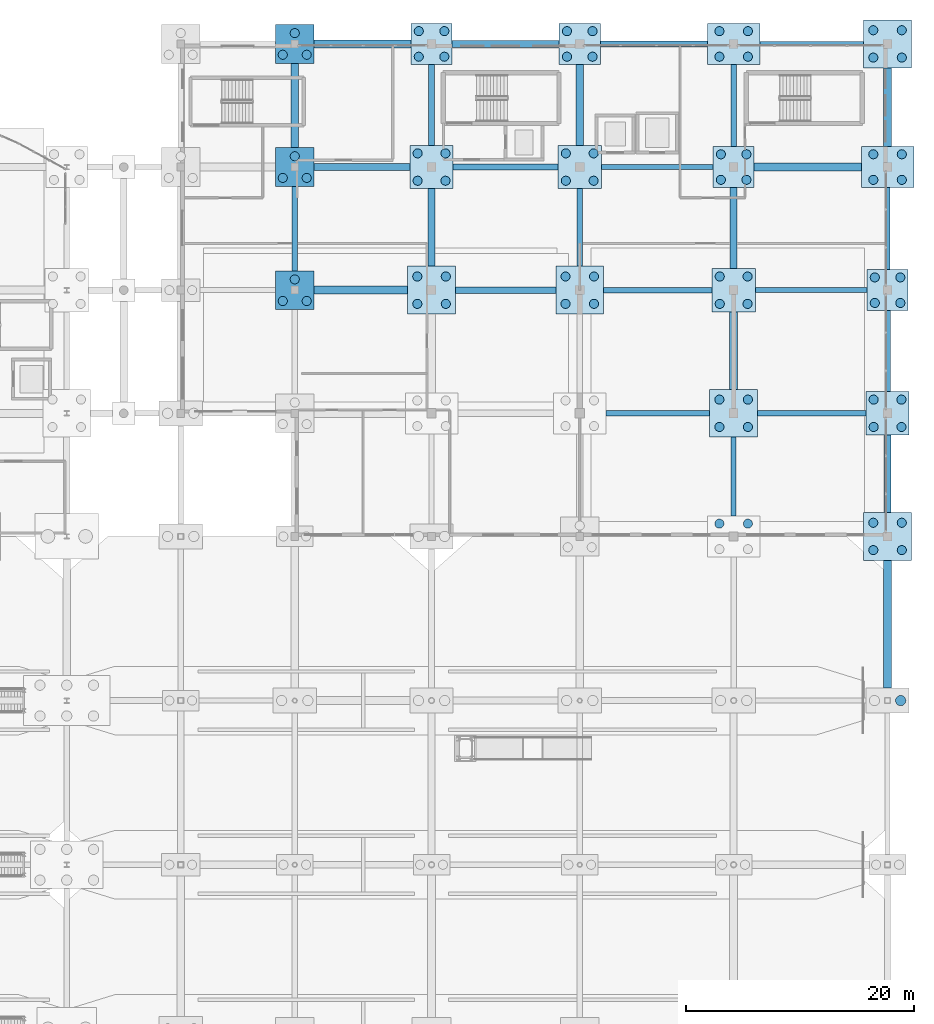
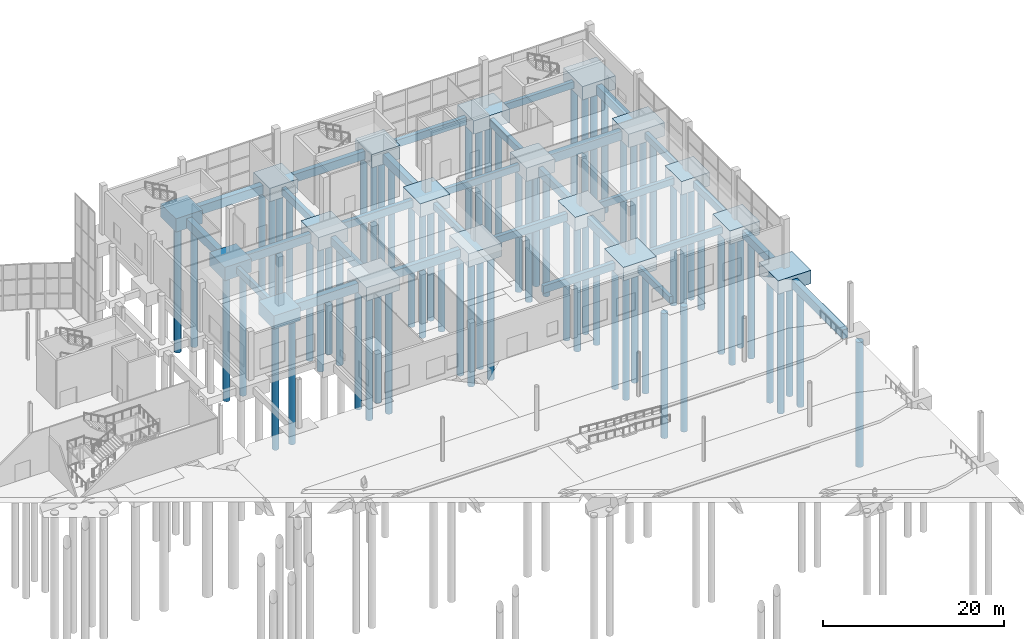
# One storey, part 8 of 115: 72 piles, 47 footings.
"""IFC4 building model written with IfcOpenShell, lengths in metres."""

from ifc_helpers import new_model, si_unit, direction, frame, origin, origin_2d, place, context, subcontext, project, spatial, rectangle, circle, extrude, material, material_profile, profile_set, type_object, element, save


model = new_model("IFC4")

# Units and contexts
model_context = context("Model", 3, precision=1e-05, world=origin(), true_north=direction((0.0, 1.0)))
body_context = subcontext(model_context, "Body", "Model", "MODEL_VIEW")
ifc_project = project(units=[si_unit("LENGTHUNIT", "METRE"), si_unit("AREAUNIT", "SQUARE_METRE"), si_unit("VOLUMEUNIT", "CUBIC_METRE"), si_unit("PLANEANGLEUNIT", "RADIAN"), si_unit("MASSUNIT", "GRAM", prefix="KILO")], contexts=[model_context])

# Site, building, storey
site_placement = place(None, origin())
site = spatial("IfcSite", under=ifc_project, at=site_placement, CompositionType="ELEMENT")
building_placement = place(site_placement, origin())
building = spatial("IfcBuilding", under=site, at=building_placement, Name="Tamarisk Ironworks Central Station", CompositionType="ELEMENT")
storey_placement = place(building_placement, origin())
storey = spatial("IfcBuildingStorey", under=building, at=storey_placement, Name="L00", CompositionType="ELEMENT", Elevation=0.0)

# Footings
ifc_material = material(Name="Concrete C40/50", Category="concrete")
footing_type_1 = type_object("IfcFootingType", Name="CAP-PC02", PredefinedType="PILE_CAP", material=ifc_material)
for number, where, z_axis, x_axis, name in (
    (1, (166.5, 122.39990234375, -1.7998046875), (0.0, 0.0, 1.0), (1.0, 0.0, 0.0), "Pile cap V5-19N"),
    (2, (180.0, 111.60009765625, -1.7998046875), (0.0, 0.0, 1.0), (1.0, 0.0, 0.0), "Pile cap V5-20L"),
):
    element("IfcFooting", number, at=place(storey_placement, frame(where, z_axis=z_axis, x_axis=x_axis)), inside=storey, type_object=footing_type_1, Name=name, PredefinedType="PILE_CAP", context=body_context, shape_type="SweptSolid", body=[
        extrude(rectangle(XDim=4.60009765625, YDim=3.60009765625, at=origin_2d()), origin(), (0.0, 0.0, 1.0), 1.800048828125),
    ])
footing_type_2 = type_object("IfcFootingType", Name="CAP-PC03", PredefinedType="PILE_CAP", material=ifc_material)
for number, where, z_axis, x_axis, name in (
    (3, (140.0, 100.800048828125, -1.7998046875), (0.0, 0.0, 1.0), (1.0, 0.0, 0.0), "Pile cap V5-17J"),
    (4, (153.0, 100.800048828125, -1.7998046875), (0.0, 0.0, 1.0), (1.0, 0.0, 0.0), "Pile cap V5-18J"),
    (5, (166.5, 90.0, -1.7998046875), (0.0, 0.0, 1.0), (1.0, 0.0, 0.0), "Pile cap V5-19H"),
    (6, (180.0, 79.199951171875, -1.7998046875), (0.0, 0.0, 1.0), (1.0, 0.0, 0.0), "Pile cap V5-20G"),
    (7, (180.0, 122.39990234375, -1.7998046875), (0.0, 0.0, 1.0), (1.0, 0.0, 0.0), "Pile cap V5-20N"),
):
    element("IfcFooting", number, at=place(storey_placement, frame(where, z_axis=z_axis, x_axis=x_axis)), inside=storey, type_object=footing_type_2, Name=name, PredefinedType="PILE_CAP", context=body_context, shape_type="SweptSolid", body=[
        extrude(rectangle(XDim=4.199951171875, YDim=4.199951171875, at=origin_2d()), origin(), (0.0, 0.0, 1.0), 1.800048828125),
    ])
footing_type_3 = type_object("IfcFootingType", Name="CAP-PC04", PredefinedType="PILE_CAP", material=ifc_material)
for number, where, z_axis, x_axis, name in (
    (8, (140.0, 111.60009765625, -1.7998046875), (0.0, 0.0, 1.0), (1.0, 0.0, 0.0), "Pile cap V5-17L"),
    (9, (153.0, 111.60009765625, -1.7998046875), (0.0, 0.0, 1.0), (1.0, 0.0, 0.0), "Pile cap V5-18L"),
    (10, (166.5, 100.800048828125, -1.7998046875), (0.0, 0.0, 1.0), (1.0, 0.0, 0.0), "Pile cap V5-19J"),
    (11, (180.0, 90.0, -1.7998046875), (0.0, 0.0, 1.0), (1.0, 0.0, 0.0), "Pile cap V5-20H"),
):
    element("IfcFooting", number, at=place(storey_placement, frame(where, z_axis=z_axis, x_axis=x_axis)), inside=storey, type_object=footing_type_3, Name=name, PredefinedType="PILE_CAP", context=body_context, shape_type="SweptSolid", body=[
        extrude(rectangle(XDim=3.800048828125, YDim=3.800048828125, at=origin_2d()), origin(), (0.0, 0.0, 1.0), 1.800048828125),
    ])
footing_type_4 = type_object("IfcFootingType", Name="CAP-PC05", PredefinedType="PILE_CAP", material=ifc_material)
for number, where, z_axis, x_axis, name in (
    (12, (140.0, 122.39990234375, -1.7998046875), (0.0, 0.0, 1.0), (1.0, 0.0, 0.0), "Pile cap V5-17N"),
    (13, (153.0, 122.39990234375, -1.7998046875), (0.0, 0.0, 1.0), (1.0, 0.0, 0.0), "Pile cap V5-18N"),
    (14, (166.5, 111.60009765625, -1.7998046875), (0.0, 0.0, 1.0), (1.0, 0.0, 0.0), "Pile cap V5-19L"),
    (15, (180.0, 100.800048828125, -1.7998046875), (0.0, 0.0, 1.0), (1.0, 0.0, 0.0), "Pile cap V5-20J"),
):
    element("IfcFooting", number, at=place(storey_placement, frame(where, z_axis=z_axis, x_axis=x_axis)), inside=storey, type_object=footing_type_4, Name=name, PredefinedType="PILE_CAP", context=body_context, shape_type="SweptSolid", body=[
        extrude(rectangle(XDim=3.60009765625, YDim=3.60009765625, at=origin_2d()), origin(), (0.0, 0.0, 1.0), 1.800048828125),
    ])
footing_type_5 = type_object("IfcFootingType", Name="CAP-PC06", PredefinedType="PILE_CAP", material=ifc_material)
for number, where, z_axis, x_axis, name in (
    (16, (128.0, 100.800048828125, -1.7998046875), (0.0, 0.0, 1.0), (1.0, 0.0, 0.0), "Pile cap V5-16J"),
    (17, (128.0, 111.60009765625, -1.7998046875), (0.0, 0.0, 1.0), (1.0, 0.0, 0.0), "Pile cap V5-16L"),
    (18, (128.0, 122.39990234375, -1.7998046875), (0.0, 0.0, 1.0), (1.0, 0.0, 0.0), "Pile cap V5-16N"),
):
    element("IfcFooting", number, at=place(storey_placement, frame(where, z_axis=z_axis, x_axis=x_axis)), inside=storey, type_object=footing_type_5, Name=name, PredefinedType="PILE_CAP", context=body_context, shape_type="SweptSolid", body=[
        extrude(rectangle(XDim=3.39990234375, YDim=3.39990234375, at=origin_2d()), origin(), (0.0, 0.0, 1.0), 1.800048828125),
    ])
ifc_material_profile_1 = material_profile(ifc_material, rectangle(XDim=0.699951171875, YDim=1.199951171875, at=origin_2d()), Name="GB01 700x1200")
ifc_profile_set_1 = profile_set([ifc_material_profile_1], Name="Concrete C40/50")
footing_type_6 = type_object("IfcFootingType", Name="GB-01", PredefinedType="FOOTING_BEAM", material=ifc_profile_set_1)
footing_1_placement = place(storey_placement, frame((129.699951171875, 100.800048828125, -1.050048828125), z_axis=(1.0, 0.0, 0.0), x_axis=(0.0, 1.0, 0.0)))
element("IfcFooting", 19, at=footing_1_placement, inside=storey, type_object=footing_type_6, Name="Ground tie beam GB-X-101", PredefinedType="FOOTING_BEAM", context=body_context, shape_type="SweptSolid", body=[
    extrude(rectangle(XDim=0.699951171875, YDim=1.199951171875, at=origin_2d()), origin(), (0.0, 0.0, 1.0), 8.199951171875),
])
footing_2_placement = place(storey_placement, frame((168.300048828125, 111.60009765625, -1.050048828125), z_axis=(1.0, 0.0, 0.0), x_axis=(0.0, 1.0, 0.0)))
element("IfcFooting", 20, at=footing_2_placement, inside=storey, type_object=footing_type_6, Name="Ground tie beam GB-X-121", PredefinedType="FOOTING_BEAM", context=body_context, shape_type="SweptSolid", body=[
    extrude(rectangle(XDim=0.699951171875, YDim=1.199951171875, at=origin_2d()), origin(), (0.0, 0.0, 1.0), 9.39990234375),
])
footing_3_placement = place(storey_placement, frame((129.699951171875, 122.39990234375, -1.050048828125), z_axis=(1.0, 0.0, 0.0), x_axis=(0.0, 1.0, 0.0)))
element("IfcFooting", 21, at=footing_3_placement, inside=storey, type_object=footing_type_6, Name="Ground tie beam GB-X-129", PredefinedType="FOOTING_BEAM", context=body_context, shape_type="SweptSolid", body=[
    extrude(rectangle(XDim=0.699951171875, YDim=1.199951171875, at=origin_2d()), origin(), (0.0, 0.0, 1.0), 8.5),
])
footing_4_placement = place(storey_placement, frame((128.0, 113.300048828125, -1.050048828125), z_axis=(0.0, 1.0, 0.0), x_axis=(-1.0, 0.0, 0.0)))
element("IfcFooting", 22, at=footing_4_placement, inside=storey, type_object=footing_type_6, Name="Ground tie beam GB-Y-249", PredefinedType="FOOTING_BEAM", context=body_context, shape_type="SweptSolid", body=[
    extrude(rectangle(XDim=0.699951171875, YDim=1.199951171875, at=origin_2d()), origin(), (0.0, 0.0, 1.0), 7.39990234375),
])
footing_5_placement = place(storey_placement, frame((153.0, 113.5, -1.050048828125), z_axis=(0.0, 1.0, 0.0), x_axis=(-1.0, 0.0, 0.0)))
element("IfcFooting", 23, at=footing_5_placement, inside=storey, type_object=footing_type_6, Name="Ground tie beam GB-Y-269", PredefinedType="FOOTING_BEAM", context=body_context, shape_type="SweptSolid", body=[
    extrude(rectangle(XDim=0.699951171875, YDim=1.199951171875, at=origin_2d()), origin(), (0.0, 0.0, 1.0), 7.10009765625),
])
footing_6_placement = place(storey_placement, frame((166.5, 92.10009765625, -1.050048828125), z_axis=(0.0, 1.0, 0.0), x_axis=(-1.0, 0.0, 0.0)))
element("IfcFooting", 24, at=footing_6_placement, inside=storey, type_object=footing_type_6, Name="Ground tie beam GB-Y-277", PredefinedType="FOOTING_BEAM", context=body_context, shape_type="SweptSolid", body=[
    extrude(rectangle(XDim=0.699951171875, YDim=1.199951171875, at=origin_2d()), origin(), (0.0, 0.0, 1.0), 6.7998046875),
])
footing_7_placement = place(storey_placement, frame((180.0, 65.89990234375, -1.050048828125), z_axis=(0.0, 1.0, 0.0), x_axis=(-1.0, 0.0, 0.0)))
element("IfcFooting", 25, at=footing_7_placement, inside=storey, type_object=footing_type_6, Name="Ground tie beam GB-Y-285", PredefinedType="FOOTING_BEAM", context=body_context, shape_type="SweptSolid", body=[
    extrude(rectangle(XDim=0.699951171875, YDim=1.199951171875, at=origin_2d()), origin(), (0.0, 0.0, 1.0), 11.2001953125),
])
footing_8_placement = place(storey_placement, frame((180.0, 113.39990234375, -1.050048828125), z_axis=(0.0, 1.0, 0.0), x_axis=(-1.0, 0.0, 0.0)))
element("IfcFooting", 26, at=footing_8_placement, inside=storey, type_object=footing_type_6, Name="Ground tie beam GB-Y-289", PredefinedType="FOOTING_BEAM", context=body_context, shape_type="SweptSolid", body=[
    extrude(rectangle(XDim=0.699951171875, YDim=1.199951171875, at=origin_2d()), origin(), (0.0, 0.0, 1.0), 6.900146484375),
])
ifc_material_profile_2 = material_profile(ifc_material, rectangle(XDim=0.60009765625, YDim=1.10009765625, at=origin_2d()), Name="GB02 600x1100")
ifc_profile_set_2 = profile_set([ifc_material_profile_2], Name="Concrete C40/50")
footing_type_7 = type_object("IfcFootingType", Name="GB-02", PredefinedType="FOOTING_BEAM", material=ifc_profile_set_2)
footing_9_placement = place(storey_placement, frame((142.10009765625, 100.800048828125, -1.0), z_axis=(1.0, 0.0, 0.0), x_axis=(0.0, 1.0, 0.0)))
element("IfcFooting", 27, at=footing_9_placement, inside=storey, type_object=footing_type_7, Name="Ground tie beam GB-X-102", PredefinedType="FOOTING_BEAM", context=body_context, shape_type="SweptSolid", body=[
    extrude(rectangle(XDim=0.60009765625, YDim=1.10009765625, at=origin_2d()), origin(), (0.0, 0.0, 1.0), 8.7998046875),
])
footing_10_placement = place(storey_placement, frame((129.699951171875, 111.60009765625, -1.0), z_axis=(1.0, 0.0, 0.0), x_axis=(0.0, 1.0, 0.0)))
element("IfcFooting", 28, at=footing_10_placement, inside=storey, type_object=footing_type_7, Name="Ground tie beam GB-X-118", PredefinedType="FOOTING_BEAM", context=body_context, shape_type="SweptSolid", body=[
    extrude(rectangle(XDim=0.60009765625, YDim=1.10009765625, at=origin_2d()), origin(), (0.0, 0.0, 1.0), 8.400146484375),
])
footing_11_placement = place(storey_placement, frame((141.800048828125, 122.39990234375, -1.0), z_axis=(1.0, 0.0, 0.0), x_axis=(0.0, 1.0, 0.0)))
element("IfcFooting", 29, at=footing_11_placement, inside=storey, type_object=footing_type_7, Name="Ground tie beam GB-X-130", PredefinedType="FOOTING_BEAM", context=body_context, shape_type="SweptSolid", body=[
    extrude(rectangle(XDim=0.60009765625, YDim=1.10009765625, at=origin_2d()), origin(), (0.0, 0.0, 1.0), 9.39990234375),
])
footing_12_placement = place(storey_placement, frame((140.0, 102.89990234375, -1.0), z_axis=(0.0, 1.0, 0.0), x_axis=(-1.0, 0.0, 0.0)))
element("IfcFooting", 30, at=footing_12_placement, inside=storey, type_object=footing_type_7, Name="Ground tie beam GB-Y-258", PredefinedType="FOOTING_BEAM", context=body_context, shape_type="SweptSolid", body=[
    extrude(rectangle(XDim=0.60009765625, YDim=1.10009765625, at=origin_2d()), origin(), (0.0, 0.0, 1.0), 6.800048828125),
])
footing_13_placement = place(storey_placement, frame((166.5, 102.699951171875, -1.0), z_axis=(0.0, 1.0, 0.0), x_axis=(-1.0, 0.0, 0.0)))
element("IfcFooting", 31, at=footing_13_placement, inside=storey, type_object=footing_type_7, Name="Ground tie beam GB-Y-278", PredefinedType="FOOTING_BEAM", context=body_context, shape_type="SweptSolid", body=[
    extrude(rectangle(XDim=0.60009765625, YDim=1.10009765625, at=origin_2d()), origin(), (0.0, 0.0, 1.0), 7.10009765625),
])
footing_14_placement = place(storey_placement, frame((180.0, 81.300048828125, -1.0), z_axis=(0.0, 1.0, 0.0), x_axis=(-1.0, 0.0, 0.0)))
element("IfcFooting", 32, at=footing_14_placement, inside=storey, type_object=footing_type_7, Name="Ground tie beam GB-Y-286", PredefinedType="FOOTING_BEAM", context=body_context, shape_type="SweptSolid", body=[
    extrude(rectangle(XDim=0.60009765625, YDim=1.10009765625, at=origin_2d()), origin(), (0.0, 0.0, 1.0), 6.800048828125),
])
ifc_material_profile_3 = material_profile(ifc_material, rectangle(XDim=0.5, YDim=1.0, at=origin_2d()), Name="GB03 500x1000")
ifc_profile_set_3 = profile_set([ifc_material_profile_3], Name="Concrete C40/50")
footing_type_8 = type_object("IfcFootingType", Name="GB-03", PredefinedType="FOOTING_BEAM", material=ifc_profile_set_3)
footing_15_placement = place(storey_placement, frame((155.300048828125, 90.0, -0.949951171875), z_axis=(1.0, 0.0, 0.0), x_axis=(0.0, 1.0, 0.0)))
element("IfcFooting", 33, at=footing_15_placement, inside=storey, type_object=footing_type_8, Name="Ground tie beam GB-X-087", PredefinedType="FOOTING_BEAM", context=body_context, shape_type="SweptSolid", body=[
    extrude(rectangle(XDim=0.5, YDim=1.0, at=origin_2d()), origin(), (0.0, 0.0, 1.0), 9.099853515625),
])
footing_16_placement = place(storey_placement, frame((155.10009765625, 100.800048828125, -0.949951171875), z_axis=(1.0, 0.0, 0.0), x_axis=(0.0, 1.0, 0.0)))
element("IfcFooting", 34, at=footing_16_placement, inside=storey, type_object=footing_type_8, Name="Ground tie beam GB-X-103", PredefinedType="FOOTING_BEAM", context=body_context, shape_type="SweptSolid", body=[
    extrude(rectangle(XDim=0.5, YDim=1.0, at=origin_2d()), origin(), (0.0, 0.0, 1.0), 9.5),
])
footing_17_placement = place(storey_placement, frame((141.89990234375, 111.60009765625, -0.949951171875), z_axis=(1.0, 0.0, 0.0), x_axis=(0.0, 1.0, 0.0)))
element("IfcFooting", 35, at=footing_17_placement, inside=storey, type_object=footing_type_8, Name="Ground tie beam GB-X-119", PredefinedType="FOOTING_BEAM", context=body_context, shape_type="SweptSolid", body=[
    extrude(rectangle(XDim=0.5, YDim=1.0, at=origin_2d()), origin(), (0.0, 0.0, 1.0), 9.2001953125),
])
footing_18_placement = place(storey_placement, frame((154.800048828125, 122.39990234375, -0.949951171875), z_axis=(1.0, 0.0, 0.0), x_axis=(0.0, 1.0, 0.0)))
element("IfcFooting", 36, at=footing_18_placement, inside=storey, type_object=footing_type_8, Name="Ground tie beam GB-X-131", PredefinedType="FOOTING_BEAM", context=body_context, shape_type="SweptSolid", body=[
    extrude(rectangle(XDim=0.5, YDim=1.0, at=origin_2d()), origin(), (0.0, 0.0, 1.0), 9.39990234375),
])
footing_19_placement = place(storey_placement, frame((140.0, 113.5, -0.949951171875), z_axis=(0.0, 1.0, 0.0), x_axis=(-1.0, 0.0, 0.0)))
element("IfcFooting", 37, at=footing_19_placement, inside=storey, type_object=footing_type_8, Name="Ground tie beam GB-Y-259", PredefinedType="FOOTING_BEAM", context=body_context, shape_type="SweptSolid", body=[
    extrude(rectangle(XDim=0.5, YDim=1.0, at=origin_2d()), origin(), (0.0, 0.0, 1.0), 7.10009765625),
])
footing_20_placement = place(storey_placement, frame((166.5, 113.39990234375, -0.949951171875), z_axis=(0.0, 1.0, 0.0), x_axis=(-1.0, 0.0, 0.0)))
element("IfcFooting", 38, at=footing_20_placement, inside=storey, type_object=footing_type_8, Name="Ground tie beam GB-Y-279", PredefinedType="FOOTING_BEAM", context=body_context, shape_type="SweptSolid", body=[
    extrude(rectangle(XDim=0.5, YDim=1.0, at=origin_2d()), origin(), (0.0, 0.0, 1.0), 7.2001953125),
])
footing_21_placement = place(storey_placement, frame((180.0, 91.89990234375, -0.949951171875), z_axis=(0.0, 1.0, 0.0), x_axis=(-1.0, 0.0, 0.0)))
element("IfcFooting", 39, at=footing_21_placement, inside=storey, type_object=footing_type_8, Name="Ground tie beam GB-Y-287", PredefinedType="FOOTING_BEAM", context=body_context, shape_type="SweptSolid", body=[
    extrude(rectangle(XDim=0.5, YDim=1.0, at=origin_2d()), origin(), (0.0, 0.0, 1.0), 7.10009765625),
])
ifc_material_profile_4 = material_profile(ifc_material, rectangle(XDim=0.449951171875, YDim=0.89990234375, at=origin_2d()), Name="GB04 450x900")
ifc_profile_set_4 = profile_set([ifc_material_profile_4], Name="Concrete C40/50")
footing_type_9 = type_object("IfcFootingType", Name="GB-04", PredefinedType="FOOTING_BEAM", material=ifc_profile_set_4)
footing_22_placement = place(storey_placement, frame((168.60009765625, 90.0, -0.89990234375), z_axis=(1.0, 0.0, 0.0), x_axis=(0.0, 1.0, 0.0)))
element("IfcFooting", 40, at=footing_22_placement, inside=storey, type_object=footing_type_9, Name="Ground tie beam GB-X-088", PredefinedType="FOOTING_BEAM", context=body_context, shape_type="SweptSolid", body=[
    extrude(rectangle(XDim=0.449951171875, YDim=0.89990234375, at=origin_2d()), origin(), (0.0, 0.0, 1.0), 9.5),
])
for number, where, z_axis, x_axis, name in (
    (41, (168.39990234375, 100.800048828125, -0.89990234375), (1.0, 0.0, 0.0), (0.0, 1.0, 0.0), "Ground tie beam GB-X-104"),
    (42, (154.89990234375, 111.60009765625, -0.89990234375), (1.0, 0.0, 0.0), (0.0, 1.0, 0.0), "Ground tie beam GB-X-120"),
):
    element("IfcFooting", number, at=place(storey_placement, frame(where, z_axis=z_axis, x_axis=x_axis)), inside=storey, type_object=footing_type_9, Name=name, PredefinedType="FOOTING_BEAM", context=body_context, shape_type="SweptSolid", body=[
        extrude(rectangle(XDim=0.449951171875, YDim=0.89990234375, at=origin_2d()), origin(), (0.0, 0.0, 1.0), 9.800048828125),
    ])
footing_23_placement = place(storey_placement, frame((168.800048828125, 122.39990234375, -0.89990234375), z_axis=(1.0, 0.0, 0.0), x_axis=(0.0, 1.0, 0.0)))
element("IfcFooting", 43, at=footing_23_placement, inside=storey, type_object=footing_type_9, Name="Ground tie beam GB-X-132", PredefinedType="FOOTING_BEAM", context=body_context, shape_type="SweptSolid", body=[
    extrude(rectangle(XDim=0.449951171875, YDim=0.89990234375, at=origin_2d()), origin(), (0.0, 0.0, 1.0), 9.099853515625),
])
footing_24_placement = place(storey_placement, frame((128.0, 102.5, -0.89990234375), z_axis=(0.0, 1.0, 0.0), x_axis=(-1.0, 0.0, 0.0)))
element("IfcFooting", 44, at=footing_24_placement, inside=storey, type_object=footing_type_9, Name="Ground tie beam GB-Y-248", PredefinedType="FOOTING_BEAM", context=body_context, shape_type="SweptSolid", body=[
    extrude(rectangle(XDim=0.449951171875, YDim=0.89990234375, at=origin_2d()), origin(), (0.0, 0.0, 1.0), 7.39990234375),
])
footing_25_placement = place(storey_placement, frame((153.0, 102.89990234375, -0.89990234375), z_axis=(0.0, 1.0, 0.0), x_axis=(-1.0, 0.0, 0.0)))
element("IfcFooting", 45, at=footing_25_placement, inside=storey, type_object=footing_type_9, Name="Ground tie beam GB-Y-268", PredefinedType="FOOTING_BEAM", context=body_context, shape_type="SweptSolid", body=[
    extrude(rectangle(XDim=0.449951171875, YDim=0.89990234375, at=origin_2d()), origin(), (0.0, 0.0, 1.0), 6.800048828125),
])
footing_26_placement = place(storey_placement, frame((166.5, 81.0, -0.89990234375), z_axis=(0.0, 1.0, 0.0), x_axis=(-1.0, 0.0, 0.0)))
element("IfcFooting", 46, at=footing_26_placement, inside=storey, type_object=footing_type_9, Name="Ground tie beam GB-Y-276", PredefinedType="FOOTING_BEAM", context=body_context, shape_type="SweptSolid", body=[
    extrude(rectangle(XDim=0.449951171875, YDim=0.89990234375, at=origin_2d()), origin(), (0.0, 0.0, 1.0), 6.89990234375),
])
footing_27_placement = place(storey_placement, frame((180.0, 102.60009765625, -0.89990234375), z_axis=(0.0, 1.0, 0.0), x_axis=(-1.0, 0.0, 0.0)))
element("IfcFooting", 47, at=footing_27_placement, inside=storey, type_object=footing_type_9, Name="Ground tie beam GB-Y-288", PredefinedType="FOOTING_BEAM", context=body_context, shape_type="SweptSolid", body=[
    extrude(rectangle(XDim=0.449951171875, YDim=0.89990234375, at=origin_2d()), origin(), (0.0, 0.0, 1.0), 7.199951171875),
])

# Piles
ifc_material_profile_5 = material_profile(ifc_material, circle(Radius=0.39990234375, at=origin_2d()), Name="BORED PILE D800")
ifc_profile_set_5 = profile_set([ifc_material_profile_5], Name="Concrete C40/50")
pile_type_1 = type_object("IfcPileType", Name="PILE-D800", PredefinedType="BORED", material=ifc_profile_set_5)
for number, where, z_axis, x_axis, name in (
    (48, (126.949951171875, 99.85009765625, -1.64990234375), (0.0, 0.0, -1.0), (1.0, 0.0, 0.0), "Bored pile V5-16J-1"),
    (49, (129.050048828125, 99.85009765625, -1.64990234375), (0.0, 0.0, -1.0), (1.0, 0.0, 0.0), "Bored pile V5-16J-2"),
    (50, (128.0, 101.75, -1.64990234375), (0.0, 0.0, -1.0), (1.0, 0.0, 0.0), "Bored pile V5-16J-3"),
    (51, (126.949951171875, 110.64990234375, -1.64990234375), (0.0, 0.0, -1.0), (1.0, 0.0, 0.0), "Bored pile V5-16L-1"),
    (52, (129.050048828125, 110.64990234375, -1.64990234375), (0.0, 0.0, -1.0), (1.0, 0.0, 0.0), "Bored pile V5-16L-2"),
    (53, (128.0, 112.550048828125, -1.64990234375), (0.0, 0.0, -1.0), (1.0, 0.0, 0.0), "Bored pile V5-16L-3"),
    (54, (126.949951171875, 121.449951171875, -1.64990234375), (0.0, 0.0, -1.0), (1.0, 0.0, 0.0), "Bored pile V5-16N-1"),
    (55, (129.050048828125, 121.449951171875, -1.64990234375), (0.0, 0.0, -1.0), (1.0, 0.0, 0.0), "Bored pile V5-16N-2"),
    (56, (128.0, 123.35009765625, -1.64990234375), (0.0, 0.0, -1.0), (1.0, 0.0, 0.0), "Bored pile V5-16N-3"),
    (57, (138.75, 99.60009765625, -1.64990234375), (0.0, 0.0, -1.0), (1.0, 0.0, 0.0), "Bored pile V5-17J-1"),
    (58, (141.25, 99.60009765625, -1.64990234375), (0.0, 0.0, -1.0), (1.0, 0.0, 0.0), "Bored pile V5-17J-2"),
    (59, (138.75, 102.0, -1.64990234375), (0.0, 0.0, -1.0), (1.0, 0.0, 0.0), "Bored pile V5-17J-3"),
    (60, (141.25, 102.0, -1.64990234375), (0.0, 0.0, -1.0), (1.0, 0.0, 0.0), "Bored pile V5-17J-4"),
    (61, (138.780029296875, 110.39990234375, -1.64990234375), (0.0, 0.0, -1.0), (1.0, 0.0, 0.0), "Bored pile V5-17L-1"),
    (62, (141.219970703125, 110.39990234375, -1.64990234375), (0.0, 0.0, -1.0), (1.0, 0.0, 0.0), "Bored pile V5-17L-2"),
    (63, (138.780029296875, 112.800048828125, -1.64990234375), (0.0, 0.0, -1.0), (1.0, 0.0, 0.0), "Bored pile V5-17L-3"),
    (64, (141.219970703125, 112.800048828125, -1.64990234375), (0.0, 0.0, -1.0), (1.0, 0.0, 0.0), "Bored pile V5-17L-4"),
    (65, (138.8798828125, 121.280029296875, -1.64990234375), (0.0, 0.0, -1.0), (1.0, 0.0, 0.0), "Bored pile V5-17N-1"),
    (66, (141.1201171875, 121.280029296875, -1.64990234375), (0.0, 0.0, -1.0), (1.0, 0.0, 0.0), "Bored pile V5-17N-2"),
    (67, (138.8798828125, 123.52001953125, -1.64990234375), (0.0, 0.0, -1.0), (1.0, 0.0, 0.0), "Bored pile V5-17N-3"),
    (68, (141.1201171875, 123.52001953125, -1.64990234375), (0.0, 0.0, -1.0), (1.0, 0.0, 0.0), "Bored pile V5-17N-4"),
    (69, (151.75, 99.60009765625, -1.64990234375), (0.0, 0.0, -1.0), (1.0, 0.0, 0.0), "Bored pile V5-18J-1"),
    (70, (154.25, 99.60009765625, -1.64990234375), (0.0, 0.0, -1.0), (1.0, 0.0, 0.0), "Bored pile V5-18J-2"),
    (71, (151.75, 102.0, -1.64990234375), (0.0, 0.0, -1.0), (1.0, 0.0, 0.0), "Bored pile V5-18J-3"),
    (72, (154.25, 102.0, -1.64990234375), (0.0, 0.0, -1.0), (1.0, 0.0, 0.0), "Bored pile V5-18J-4"),
    (73, (151.780029296875, 110.39990234375, -1.64990234375), (0.0, 0.0, -1.0), (1.0, 0.0, 0.0), "Bored pile V5-18L-1"),
    (74, (154.219970703125, 110.39990234375, -1.64990234375), (0.0, 0.0, -1.0), (1.0, 0.0, 0.0), "Bored pile V5-18L-2"),
    (75, (151.780029296875, 112.800048828125, -1.64990234375), (0.0, 0.0, -1.0), (1.0, 0.0, 0.0), "Bored pile V5-18L-3"),
    (76, (154.219970703125, 112.800048828125, -1.64990234375), (0.0, 0.0, -1.0), (1.0, 0.0, 0.0), "Bored pile V5-18L-4"),
    (77, (151.8798828125, 121.280029296875, -1.64990234375), (0.0, 0.0, -1.0), (1.0, 0.0, 0.0), "Bored pile V5-18N-1"),
    (78, (154.1201171875, 121.280029296875, -1.64990234375), (0.0, 0.0, -1.0), (1.0, 0.0, 0.0), "Bored pile V5-18N-2"),
    (79, (151.8798828125, 123.52001953125, -1.64990234375), (0.0, 0.0, -1.0), (1.0, 0.0, 0.0), "Bored pile V5-18N-3"),
    (80, (154.1201171875, 123.52001953125, -1.64990234375), (0.0, 0.0, -1.0), (1.0, 0.0, 0.0), "Bored pile V5-18N-4"),
    (81, (165.25, 80.320068359375, -1.64990234375), (0.0, 0.0, -1.0), (1.0, 0.0, 0.0), "Bored pile V5-19G-3"),
    (82, (167.75, 80.320068359375, -1.64990234375), (0.0, 0.0, -1.0), (1.0, 0.0, 0.0), "Bored pile V5-19G-4"),
    (83, (165.25, 88.800048828125, -1.64990234375), (0.0, 0.0, -1.0), (1.0, 0.0, 0.0), "Bored pile V5-19H-1"),
    (84, (167.75, 88.800048828125, -1.64990234375), (0.0, 0.0, -1.0), (1.0, 0.0, 0.0), "Bored pile V5-19H-2"),
    (85, (165.25, 91.199951171875, -1.64990234375), (0.0, 0.0, -1.0), (1.0, 0.0, 0.0), "Bored pile V5-19H-3"),
    (86, (167.75, 91.199951171875, -1.64990234375), (0.0, 0.0, -1.0), (1.0, 0.0, 0.0), "Bored pile V5-19H-4"),
    (87, (165.280029296875, 99.60009765625, -1.64990234375), (0.0, 0.0, -1.0), (1.0, 0.0, 0.0), "Bored pile V5-19J-1"),
    (88, (167.719970703125, 99.60009765625, -1.64990234375), (0.0, 0.0, -1.0), (1.0, 0.0, 0.0), "Bored pile V5-19J-2"),
    (89, (165.280029296875, 102.0, -1.64990234375), (0.0, 0.0, -1.0), (1.0, 0.0, 0.0), "Bored pile V5-19J-3"),
    (90, (167.719970703125, 102.0, -1.64990234375), (0.0, 0.0, -1.0), (1.0, 0.0, 0.0), "Bored pile V5-19J-4"),
    (91, (165.3798828125, 110.47998046875, -1.64990234375), (0.0, 0.0, -1.0), (1.0, 0.0, 0.0), "Bored pile V5-19L-1"),
    (92, (167.6201171875, 110.47998046875, -1.64990234375), (0.0, 0.0, -1.0), (1.0, 0.0, 0.0), "Bored pile V5-19L-2"),
    (93, (165.3798828125, 112.719970703125, -1.64990234375), (0.0, 0.0, -1.0), (1.0, 0.0, 0.0), "Bored pile V5-19L-3"),
    (94, (167.6201171875, 112.719970703125, -1.64990234375), (0.0, 0.0, -1.0), (1.0, 0.0, 0.0), "Bored pile V5-19L-4"),
    (95, (165.25, 121.280029296875, -1.64990234375), (0.0, 0.0, -1.0), (1.0, 0.0, 0.0), "Bored pile V5-19N-1"),
    (96, (167.75, 121.280029296875, -1.64990234375), (0.0, 0.0, -1.0), (1.0, 0.0, 0.0), "Bored pile V5-19N-2"),
    (97, (165.25, 123.52001953125, -1.64990234375), (0.0, 0.0, -1.0), (1.0, 0.0, 0.0), "Bored pile V5-19N-3"),
    (98, (167.75, 123.52001953125, -1.64990234375), (0.0, 0.0, -1.0), (1.0, 0.0, 0.0), "Bored pile V5-19N-4"),
    (99, (178.75, 78.0, -1.64990234375), (0.0, 0.0, -1.0), (1.0, 0.0, 0.0), "Bored pile V5-20G-1"),
    (100, (181.25, 78.0, -1.64990234375), (0.0, 0.0, -1.0), (1.0, 0.0, 0.0), "Bored pile V5-20G-2"),
    (101, (178.75, 80.39990234375, -1.64990234375), (0.0, 0.0, -1.0), (1.0, 0.0, 0.0), "Bored pile V5-20G-3"),
    (102, (181.25, 80.39990234375, -1.64990234375), (0.0, 0.0, -1.0), (1.0, 0.0, 0.0), "Bored pile V5-20G-4"),
    (103, (178.780029296875, 88.800048828125, -1.64990234375), (0.0, 0.0, -1.0), (1.0, 0.0, 0.0), "Bored pile V5-20H-1"),
    (104, (181.219970703125, 88.800048828125, -1.64990234375), (0.0, 0.0, -1.0), (1.0, 0.0, 0.0), "Bored pile V5-20H-2"),
    (105, (178.780029296875, 91.199951171875, -1.64990234375), (0.0, 0.0, -1.0), (1.0, 0.0, 0.0), "Bored pile V5-20H-3"),
    (106, (181.219970703125, 91.199951171875, -1.64990234375), (0.0, 0.0, -1.0), (1.0, 0.0, 0.0), "Bored pile V5-20H-4"),
    (107, (178.8798828125, 99.679931640625, -1.64990234375), (0.0, 0.0, -1.0), (1.0, 0.0, 0.0), "Bored pile V5-20J-1"),
    (108, (181.1201171875, 99.679931640625, -1.64990234375), (0.0, 0.0, -1.0), (1.0, 0.0, 0.0), "Bored pile V5-20J-2"),
    (109, (178.8798828125, 101.919921875, -1.64990234375), (0.0, 0.0, -1.0), (1.0, 0.0, 0.0), "Bored pile V5-20J-3"),
    (110, (181.1201171875, 101.919921875, -1.64990234375), (0.0, 0.0, -1.0), (1.0, 0.0, 0.0), "Bored pile V5-20J-4"),
    (111, (178.75, 110.47998046875, -1.64990234375), (0.0, 0.0, -1.0), (1.0, 0.0, 0.0), "Bored pile V5-20L-1"),
    (112, (181.25, 110.47998046875, -1.64990234375), (0.0, 0.0, -1.0), (1.0, 0.0, 0.0), "Bored pile V5-20L-2"),
    (113, (178.75, 112.719970703125, -1.64990234375), (0.0, 0.0, -1.0), (1.0, 0.0, 0.0), "Bored pile V5-20L-3"),
    (114, (181.25, 112.719970703125, -1.64990234375), (0.0, 0.0, -1.0), (1.0, 0.0, 0.0), "Bored pile V5-20L-4"),
    (115, (178.75, 121.199951171875, -1.64990234375), (0.0, 0.0, -1.0), (1.0, 0.0, 0.0), "Bored pile V5-20N-1"),
    (116, (181.25, 121.199951171875, -1.64990234375), (0.0, 0.0, -1.0), (1.0, 0.0, 0.0), "Bored pile V5-20N-2"),
    (117, (178.75, 123.60009765625, -1.64990234375), (0.0, 0.0, -1.0), (1.0, 0.0, 0.0), "Bored pile V5-20N-3"),
    (118, (181.25, 123.60009765625, -1.64990234375), (0.0, 0.0, -1.0), (1.0, 0.0, 0.0), "Bored pile V5-20N-4"),
):
    element("IfcPile", number, at=place(storey_placement, frame(where, z_axis=z_axis, x_axis=x_axis)), inside=storey, type_object=pile_type_1, Name=name, PredefinedType="BORED", context=body_context, shape_type="SweptSolid", body=[
        extrude(circle(Radius=0.39990234375, at=origin_2d()), origin(), (0.0, 0.0, 1.0), 16.85009765625),
    ])
ifc_material_profile_6 = material_profile(ifc_material, circle(Radius=0.449951171875, at=origin_2d()), Name="BORED PILE D900")
ifc_profile_set_6 = profile_set([ifc_material_profile_6], Name="Concrete C40/50")
pile_type_2 = type_object("IfcPileType", Name="PILE-D900", PredefinedType="BORED", material=ifc_profile_set_6)
pile_placement = place(storey_placement, frame((181.14990234375, 64.800048828125, -1.64990234375), z_axis=(0.0, 0.0, -1.0), x_axis=(1.0, 0.0, 0.0)))
element("IfcPile", 119, at=pile_placement, inside=storey, type_object=pile_type_2, Name="Bored pile V1-20F-2", PredefinedType="BORED", context=body_context, shape_type="SweptSolid", body=[
    extrude(circle(Radius=0.449951171875, at=origin_2d()), origin(), (0.0, 0.0, 1.0), 16.85009765625),
])

save(model, "model.ifc")
